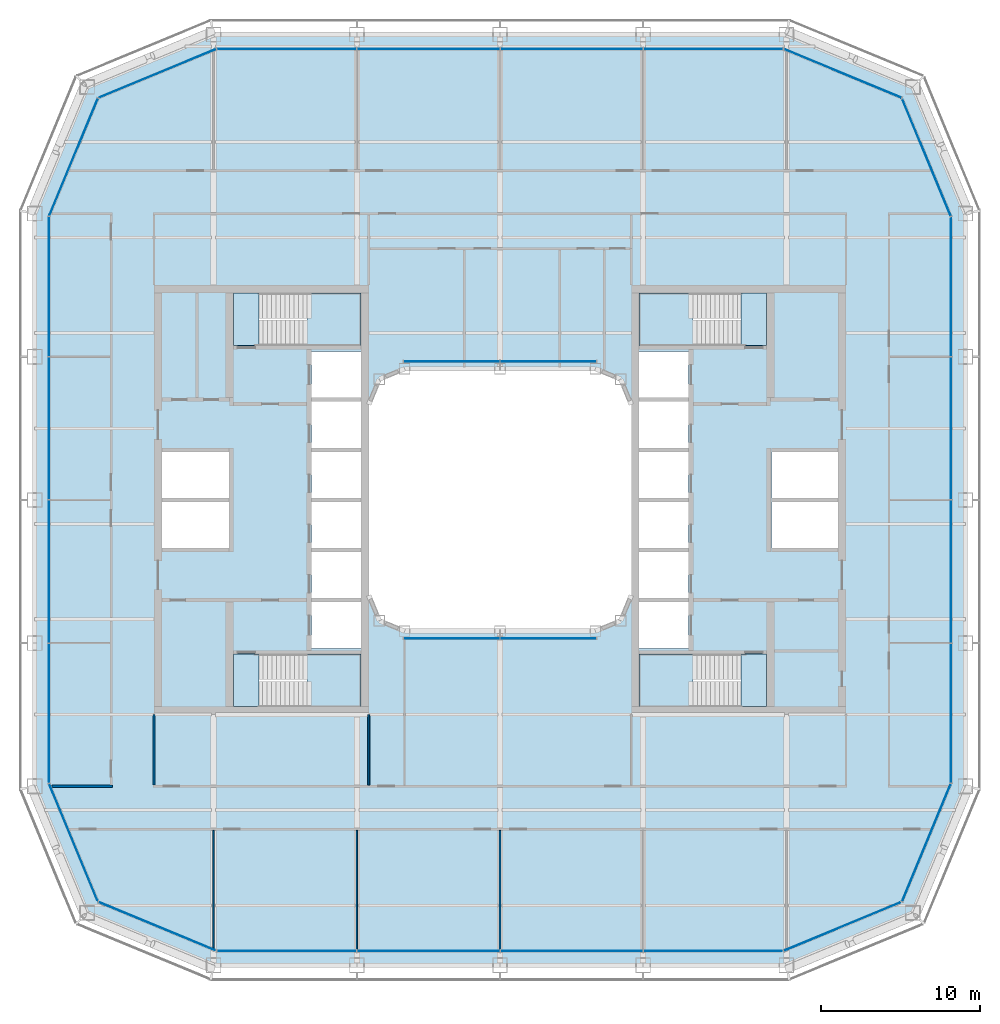
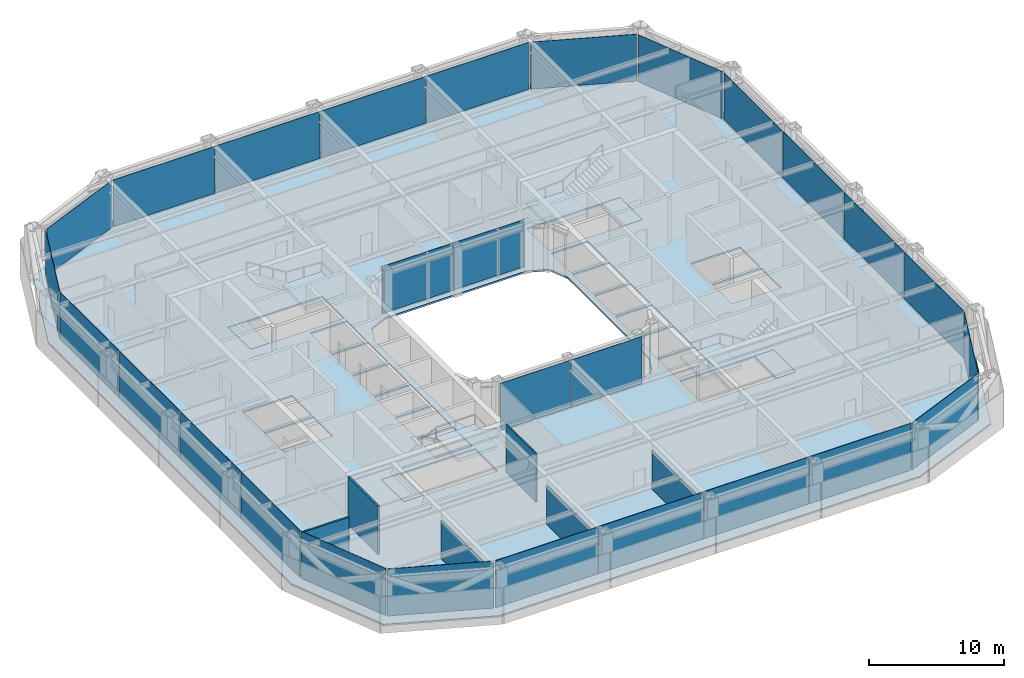
# One storey, part 10 of 21: 28 plates, 9 slabs, 6 walls, 18 elements without a shape of their own.
"""IFC4 building model written with IfcOpenShell, lengths in metres."""

from ifc_helpers import new_model, si_unit, direction, frame, frame_2d, origin, origin_2d, place, context, subcontext, project, spatial, polyline, rectangle, outline, extrude, material, layer, layer_set, type_object, element, aggregate, save


model = new_model("IFC4")

# Units and contexts
model_context = context("Model", 3, precision=1e-05, world=origin(), true_north=direction((0.0, 1.0)))
body_context = subcontext(model_context, "Body", "Model", "MODEL_VIEW")
ifc_project = project(units=[si_unit("LENGTHUNIT", "METRE"), si_unit("AREAUNIT", "SQUARE_METRE"), si_unit("VOLUMEUNIT", "CUBIC_METRE"), si_unit("PLANEANGLEUNIT", "RADIAN"), si_unit("MASSUNIT", "GRAM", prefix="KILO")], contexts=[model_context])

# Site, building, storey
site_placement = place(None, origin())
site = spatial("IfcSite", under=ifc_project, at=site_placement, CompositionType="ELEMENT")
building_placement = place(site_placement, origin())
building = spatial("IfcBuilding", under=site, at=building_placement, Name="Siwar Civic Tower", CompositionType="ELEMENT")
storey_placement = place(building_placement, frame((0.0, 0.0, 122.699951171875)))
storey = spatial("IfcBuildingStorey", under=building, at=storey_placement, Name="L26", CompositionType="ELEMENT", Elevation=122.699951171875)

# Stair, slabs
ifc_material_1 = material(Name="Concrete C40/50", Category="concrete")
stair_type = type_object("IfcStairType", Name="CORE-STAIR", PredefinedType="TWO_STRAIGHT_RUN_STAIR", material=ifc_material_1)
stair_1_placement = place(storey_placement, origin())
stair_1 = element("IfcStair", 1, at=stair_1_placement, inside=storey, type_object=stair_type, Name="Exit stair ST1", PredefinedType="TWO_STRAIGHT_RUN_STAIR")
ifc_material_2 = material(Name="Concrete C40/50", Category="concrete")
ifc_layer_1 = layer(ifc_material_2, 0.300048828125)
ifc_layer_set_1 = layer_set([ifc_layer_1], Name="Concrete C40/50")
slab_type_1 = type_object("IfcSlabType", Name="CORE-STAIR-LANDING", PredefinedType="LANDING", material=ifc_layer_set_1)
slab_1_placement = place(storey_placement, frame((0.0, 0.0, -0.300048828125)))
slab_1 = element("IfcSlab", 2, at=slab_1_placement, type_object=slab_type_1, Name="ST1 landing 1", PredefinedType="LANDING", context=body_context, shape_type="SweptSolid", body=[
    extrude(outline(polyline([(-15.14990234375, 13.0), (-16.75, 13.0), (-16.75, 9.699951171875), (-15.14990234375, 9.699951171875), (-15.14990234375, 13.0)])), origin(), (0.0, 0.0, 1.0), 0.300048828125),
])
slab_2_placement = place(storey_placement, frame((0.0, 0.0, 1.949951171875)))
slab_2 = element("IfcSlab", 3, at=slab_2_placement, type_object=slab_type_1, Name="ST1 landing 2", PredefinedType="LANDING", context=body_context, shape_type="SweptSolid", body=[
    extrude(outline(polyline([(-8.75, 13.0), (-12.139892578125, 13.0), (-12.139892578125, 9.699951171875), (-8.75, 9.699951171875), (-8.75, 13.0)])), origin(), (0.0, 0.0, 1.0), 0.300048828125),
])
aggregate(stair_1, [slab_1, slab_2])

stair_2_placement = place(storey_placement, origin())
stair_2 = element("IfcStair", 4, at=stair_2_placement, inside=storey, type_object=stair_type, Name="Exit stair ST2", PredefinedType="TWO_STRAIGHT_RUN_STAIR")
slab_3_placement = place(storey_placement, frame((0.0, 0.0, -0.300048828125)))
slab_3 = element("IfcSlab", 5, at=slab_3_placement, type_object=slab_type_1, Name="ST2 landing 1", PredefinedType="LANDING", context=body_context, shape_type="SweptSolid", body=[
    extrude(outline(polyline([(-15.14990234375, -9.699951171875), (-16.75, -9.699951171875), (-16.75, -13.0), (-15.14990234375, -13.0), (-15.14990234375, -9.699951171875)])), origin(), (0.0, 0.0, 1.0), 0.300048828125),
])
slab_4_placement = place(storey_placement, frame((0.0, 0.0, 1.949951171875)))
slab_4 = element("IfcSlab", 6, at=slab_4_placement, type_object=slab_type_1, Name="ST2 landing 2", PredefinedType="LANDING", context=body_context, shape_type="SweptSolid", body=[
    extrude(outline(polyline([(-8.75, -9.699951171875), (-12.139892578125, -9.699951171875), (-12.139892578125, -13.0), (-8.75, -13.0), (-8.75, -9.699951171875)])), origin(), (0.0, 0.0, 1.0), 0.300048828125),
])
aggregate(stair_2, [slab_3, slab_4])

stair_3_placement = place(storey_placement, origin())
stair_3 = element("IfcStair", 7, at=stair_3_placement, inside=storey, type_object=stair_type, Name="Exit stair ST3", PredefinedType="TWO_STRAIGHT_RUN_STAIR")
slab_5_placement = place(storey_placement, frame((0.0, 0.0, -0.300048828125)))
slab_5 = element("IfcSlab", 8, at=slab_5_placement, type_object=slab_type_1, Name="ST3 landing 1", PredefinedType="LANDING", context=body_context, shape_type="SweptSolid", body=[
    extrude(outline(polyline([(15.14990234375, 9.699951171875), (16.75, 9.699951171875), (16.75, 13.0), (15.14990234375, 13.0), (15.14990234375, 9.699951171875)])), origin(), (0.0, 0.0, 1.0), 0.300048828125),
])
slab_6_placement = place(storey_placement, frame((0.0, 0.0, 1.949951171875)))
slab_6 = element("IfcSlab", 9, at=slab_6_placement, type_object=slab_type_1, Name="ST3 landing 2", PredefinedType="LANDING", context=body_context, shape_type="SweptSolid", body=[
    extrude(outline(polyline([(8.75, 9.699951171875), (12.139892578125, 9.699951171875), (12.139892578125, 13.0), (8.75, 13.0), (8.75, 9.699951171875)])), origin(), (0.0, 0.0, 1.0), 0.300048828125),
])
aggregate(stair_3, [slab_5, slab_6])

stair_4_placement = place(storey_placement, origin())
stair_4 = element("IfcStair", 10, at=stair_4_placement, inside=storey, type_object=stair_type, Name="Exit stair ST4", PredefinedType="TWO_STRAIGHT_RUN_STAIR")
slab_7_placement = place(storey_placement, frame((0.0, 0.0, -0.300048828125)))
slab_7 = element("IfcSlab", 11, at=slab_7_placement, type_object=slab_type_1, Name="ST4 landing 1", PredefinedType="LANDING", context=body_context, shape_type="SweptSolid", body=[
    extrude(outline(polyline([(15.14990234375, -13.0), (16.75, -13.0), (16.75, -9.699951171875), (15.14990234375, -9.699951171875), (15.14990234375, -13.0)])), origin(), (0.0, 0.0, 1.0), 0.300048828125),
])
slab_8_placement = place(storey_placement, frame((0.0, 0.0, 1.949951171875)))
slab_8 = element("IfcSlab", 12, at=slab_8_placement, type_object=slab_type_1, Name="ST4 landing 2", PredefinedType="LANDING", context=body_context, shape_type="SweptSolid", body=[
    extrude(outline(polyline([(8.75, -13.0), (12.139892578125, -13.0), (12.139892578125, -9.699951171875), (8.75, -9.699951171875), (8.75, -13.0)])), origin(), (0.0, 0.0, 1.0), 0.300048828125),
])
aggregate(stair_4, [slab_7, slab_8])

# Curtain wall, plates
ifc_material_3 = material(Name="Aluminium and glass", Category="aluminium")
ifc_layer_2 = layer(ifc_material_3, 0.199951171875)
ifc_layer_set_2 = layer_set([ifc_layer_2], Name="Aluminium and glass")
curtain_wall_type_1 = type_object("IfcCurtainWallType", Name="ENV-CW-B", PredefinedType="NOTDEFINED", material=ifc_layer_set_2)
curtain_wall_1_placement = place(storey_placement, origin())
curtain_wall_1 = element("IfcCurtainWall", 13, at=curtain_wall_1_placement, inside=storey, type_object=curtain_wall_type_1, Name="Curtain wall B S", PredefinedType="NOTDEFINED")
ifc_material_4 = material(Name="Glass clear laminated", Category="glass")
ifc_layer_3 = layer(ifc_material_4, 0.033935546875)
ifc_layer_set_3 = layer_set([ifc_layer_3], Name="Glass clear laminated")
plate_type_1 = type_object("IfcPlateType", Name="ENV-PANEL-B", PredefinedType="CURTAIN_PANEL", material=ifc_layer_set_3)
plate_1_placement = place(storey_placement, frame((-13.410400390625, -28.35009765625, 0.10986328125), z_axis=(0.0, 0.0, 1.0), x_axis=(1.0, 0.0, 0.0)))
plate_1 = element("IfcPlate", 14, at=plate_1_placement, type_object=plate_type_1, Name="Curtain panel B S 1", PredefinedType="CURTAIN_PANEL", context=body_context, shape_type="SweptSolid", body=[
    extrude(rectangle(XDim=8.755859375, YDim=0.033935546875, at=origin_2d()), origin(), (0.0, 0.0, 1.0), 4.239990234375),
])
plate_2_placement = place(storey_placement, frame((-4.5, -28.35009765625, 0.10986328125), z_axis=(0.0, 0.0, 1.0), x_axis=(1.0, 0.0, 0.0)))
plate_2 = element("IfcPlate", 15, at=plate_2_placement, type_object=plate_type_1, Name="Curtain panel B S 2", PredefinedType="CURTAIN_PANEL", context=body_context, shape_type="SweptSolid", body=[
    extrude(rectangle(XDim=8.93505859375, YDim=0.033935546875, at=origin_2d()), origin(), (0.0, 0.0, 1.0), 4.239990234375),
])
plate_3_placement = place(storey_placement, frame((4.5, -28.35009765625, 0.10986328125), z_axis=(0.0, 0.0, 1.0), x_axis=(1.0, 0.0, 0.0)))
plate_3 = element("IfcPlate", 16, at=plate_3_placement, type_object=plate_type_1, Name="Curtain panel B S 3", PredefinedType="CURTAIN_PANEL", context=body_context, shape_type="SweptSolid", body=[
    extrude(rectangle(XDim=8.93505859375, YDim=0.033935546875, at=origin_2d()), origin(), (0.0, 0.0, 1.0), 4.239990234375),
])
plate_4_placement = place(storey_placement, frame((13.369873046875, -28.35009765625, 0.10986328125), z_axis=(0.0, 0.0, 1.0), x_axis=(1.0, 0.0, 0.0)))
plate_4 = element("IfcPlate", 17, at=plate_4_placement, type_object=plate_type_1, Name="Curtain panel B S 4", PredefinedType="CURTAIN_PANEL", context=body_context, shape_type="SweptSolid", body=[
    extrude(rectangle(XDim=8.6748046875, YDim=0.033935546875, at=origin_2d()), origin(), (0.0, 0.0, 1.0), 4.239990234375),
])
aggregate(curtain_wall_1, [plate_1, plate_2, plate_3, plate_4])

curtain_wall_2_placement = place(storey_placement, origin())
curtain_wall_2 = element("IfcCurtainWall", 18, at=curtain_wall_2_placement, inside=storey, type_object=curtain_wall_type_1, Name="Curtain wall B E", PredefinedType="NOTDEFINED")
plate_5_placement = place(storey_placement, frame((28.35009765625, -13.410400390625, 0.10986328125), z_axis=(0.0, 0.0, 1.0), x_axis=(0.0, 1.0, 0.0)))
plate_5 = element("IfcPlate", 19, at=plate_5_placement, type_object=plate_type_1, Name="Curtain panel B E 1", PredefinedType="CURTAIN_PANEL", context=body_context, shape_type="SweptSolid", body=[
    extrude(rectangle(XDim=8.755859375, YDim=0.033935546875, at=origin_2d()), origin(), (0.0, 0.0, 1.0), 4.239990234375),
])
plate_6_placement = place(storey_placement, frame((28.35009765625, -4.5, 0.10986328125), z_axis=(0.0, 0.0, 1.0), x_axis=(0.0, 1.0, 0.0)))
plate_6 = element("IfcPlate", 20, at=plate_6_placement, type_object=plate_type_1, Name="Curtain panel B E 2", PredefinedType="CURTAIN_PANEL", context=body_context, shape_type="SweptSolid", body=[
    extrude(rectangle(XDim=8.93505859375, YDim=0.033935546875, at=origin_2d()), origin(), (0.0, 0.0, 1.0), 4.239990234375),
])
plate_7_placement = place(storey_placement, frame((28.35009765625, 4.5, 0.10986328125), z_axis=(0.0, 0.0, 1.0), x_axis=(0.0, 1.0, 0.0)))
plate_7 = element("IfcPlate", 21, at=plate_7_placement, type_object=plate_type_1, Name="Curtain panel B E 3", PredefinedType="CURTAIN_PANEL", context=body_context, shape_type="SweptSolid", body=[
    extrude(rectangle(XDim=8.93505859375, YDim=0.033935546875, at=origin_2d()), origin(), (0.0, 0.0, 1.0), 4.239990234375),
])
plate_8_placement = place(storey_placement, frame((28.35009765625, 13.369873046875, 0.10986328125), z_axis=(0.0, 0.0, 1.0), x_axis=(0.0, 1.0, 0.0)))
plate_8 = element("IfcPlate", 22, at=plate_8_placement, type_object=plate_type_1, Name="Curtain panel B E 4", PredefinedType="CURTAIN_PANEL", context=body_context, shape_type="SweptSolid", body=[
    extrude(rectangle(XDim=8.6748046875, YDim=0.033935546875, at=origin_2d()), origin(), (0.0, 0.0, 1.0), 4.239990234375),
])
aggregate(curtain_wall_2, [plate_5, plate_6, plate_7, plate_8])

curtain_wall_3_placement = place(storey_placement, origin())
curtain_wall_3 = element("IfcCurtainWall", 23, at=curtain_wall_3_placement, inside=storey, type_object=curtain_wall_type_1, Name="Curtain wall B N", PredefinedType="NOTDEFINED")
plate_9_placement = place(storey_placement, frame((13.410400390625, 28.35009765625, 0.10986328125), z_axis=(0.0, 0.0, 1.0), x_axis=(-1.0, 0.0, 0.0)))
plate_9 = element("IfcPlate", 24, at=plate_9_placement, type_object=plate_type_1, Name="Curtain panel B N 1", PredefinedType="CURTAIN_PANEL", context=body_context, shape_type="SweptSolid", body=[
    extrude(rectangle(XDim=8.755859375, YDim=0.033935546875, at=origin_2d()), origin(), (0.0, 0.0, 1.0), 4.239990234375),
])
plate_10_placement = place(storey_placement, frame((4.5, 28.35009765625, 0.10986328125), z_axis=(0.0, 0.0, 1.0), x_axis=(-1.0, 0.0, 0.0)))
plate_10 = element("IfcPlate", 25, at=plate_10_placement, type_object=plate_type_1, Name="Curtain panel B N 2", PredefinedType="CURTAIN_PANEL", context=body_context, shape_type="SweptSolid", body=[
    extrude(rectangle(XDim=8.93505859375, YDim=0.033935546875, at=origin_2d()), origin(), (0.0, 0.0, 1.0), 4.239990234375),
])
plate_11_placement = place(storey_placement, frame((-4.5, 28.35009765625, 0.10986328125), z_axis=(0.0, 0.0, 1.0), x_axis=(-1.0, 0.0, 0.0)))
plate_11 = element("IfcPlate", 26, at=plate_11_placement, type_object=plate_type_1, Name="Curtain panel B N 3", PredefinedType="CURTAIN_PANEL", context=body_context, shape_type="SweptSolid", body=[
    extrude(rectangle(XDim=8.93505859375, YDim=0.033935546875, at=origin_2d()), origin(), (0.0, 0.0, 1.0), 4.239990234375),
])
plate_12_placement = place(storey_placement, frame((-13.369873046875, 28.35009765625, 0.10986328125), z_axis=(0.0, 0.0, 1.0), x_axis=(-1.0, 0.0, 0.0)))
plate_12 = element("IfcPlate", 27, at=plate_12_placement, type_object=plate_type_1, Name="Curtain panel B N 4", PredefinedType="CURTAIN_PANEL", context=body_context, shape_type="SweptSolid", body=[
    extrude(rectangle(XDim=8.6748046875, YDim=0.033935546875, at=origin_2d()), origin(), (0.0, 0.0, 1.0), 4.239990234375),
])
aggregate(curtain_wall_3, [plate_9, plate_10, plate_11, plate_12])

curtain_wall_4_placement = place(storey_placement, origin())
curtain_wall_4 = element("IfcCurtainWall", 28, at=curtain_wall_4_placement, inside=storey, type_object=curtain_wall_type_1, Name="Curtain wall B W", PredefinedType="NOTDEFINED")
plate_13_placement = place(storey_placement, frame((-28.35009765625, 13.410400390625, 0.10986328125), z_axis=(0.0, 0.0, 1.0), x_axis=(0.0, -1.0, 0.0)))
plate_13 = element("IfcPlate", 29, at=plate_13_placement, type_object=plate_type_1, Name="Curtain panel B W 1", PredefinedType="CURTAIN_PANEL", context=body_context, shape_type="SweptSolid", body=[
    extrude(rectangle(XDim=8.755859375, YDim=0.033935546875, at=origin_2d()), origin(), (0.0, 0.0, 1.0), 4.239990234375),
])
plate_14_placement = place(storey_placement, frame((-28.35009765625, 4.5, 0.10986328125), z_axis=(0.0, 0.0, 1.0), x_axis=(0.0, -1.0, 0.0)))
plate_14 = element("IfcPlate", 30, at=plate_14_placement, type_object=plate_type_1, Name="Curtain panel B W 2", PredefinedType="CURTAIN_PANEL", context=body_context, shape_type="SweptSolid", body=[
    extrude(rectangle(XDim=8.93505859375, YDim=0.033935546875, at=origin_2d()), origin(), (0.0, 0.0, 1.0), 4.239990234375),
])
plate_15_placement = place(storey_placement, frame((-28.35009765625, -4.5, 0.10986328125), z_axis=(0.0, 0.0, 1.0), x_axis=(0.0, -1.0, 0.0)))
plate_15 = element("IfcPlate", 31, at=plate_15_placement, type_object=plate_type_1, Name="Curtain panel B W 3", PredefinedType="CURTAIN_PANEL", context=body_context, shape_type="SweptSolid", body=[
    extrude(rectangle(XDim=8.93505859375, YDim=0.033935546875, at=origin_2d()), origin(), (0.0, 0.0, 1.0), 4.239990234375),
])
plate_16_placement = place(storey_placement, frame((-28.35009765625, -13.369873046875, 0.10986328125), z_axis=(0.0, 0.0, 1.0), x_axis=(0.0, -1.0, 0.0)))
plate_16 = element("IfcPlate", 32, at=plate_16_placement, type_object=plate_type_1, Name="Curtain panel B W 4", PredefinedType="CURTAIN_PANEL", context=body_context, shape_type="SweptSolid", body=[
    extrude(rectangle(XDim=8.6748046875, YDim=0.033935546875, at=origin_2d()), origin(), (0.0, 0.0, 1.0), 4.239990234375),
])
aggregate(curtain_wall_4, [plate_13, plate_14, plate_15, plate_16])

# Curtain wall, plate
ifc_material_5 = material(Name="Aluminium clad insulated panel", Category="aluminium")
ifc_layer_4 = layer(ifc_material_5, 0.199951171875)
ifc_layer_set_4 = layer_set([ifc_layer_4], Name="Aluminium clad insulated panel")
curtain_wall_type_2 = type_object("IfcCurtainWallType", Name="ENV-CW-BX", PredefinedType="NOTDEFINED", material=ifc_layer_set_4)
curtain_wall_5_placement = place(storey_placement, origin())
curtain_wall_5 = element("IfcCurtainWall", 33, at=curtain_wall_5_placement, inside=storey, type_object=curtain_wall_type_2, Name="Curtain wall B SE1", PredefinedType="NOTDEFINED")
ifc_material_6 = material(Name="Aluminium clad insulated panel", Category="aluminium")
ifc_layer_5 = layer(ifc_material_6, 0.033935546875)
ifc_layer_set_5 = layer_set([ifc_layer_5], Name="Aluminium clad insulated panel")
plate_type_2 = type_object("IfcPlateType", Name="ENV-PANEL-BX", PredefinedType="CURTAIN_PANEL", material=ifc_layer_set_5)
plate_17_placement = place(storey_placement, frame((21.506103515625, -26.823486328125, 0.10986328125), z_axis=(0.0, 0.0, 1.0), x_axis=(0.923879532511, 0.382683432365, 0.0)))
plate_17 = element("IfcPlate", 34, at=plate_17_placement, type_object=plate_type_2, Name="Curtain panel B SE1 1", PredefinedType="CURTAIN_PANEL", context=body_context, shape_type="SweptSolid", body=[
    extrude(rectangle(XDim=7.912353515625, YDim=0.033935546875, at=origin_2d()), origin(), (0.0, 0.0, 1.0), 4.239990234375),
])
aggregate(curtain_wall_5, [plate_17])

curtain_wall_6_placement = place(storey_placement, origin())
curtain_wall_6 = element("IfcCurtainWall", 35, at=curtain_wall_6_placement, inside=storey, type_object=curtain_wall_type_2, Name="Curtain wall B SE2", PredefinedType="NOTDEFINED")
plate_18_placement = place(storey_placement, frame((26.79248046875, -21.5810546875, 0.10986328125), z_axis=(0.0, 0.0, 1.0), x_axis=(0.382683432365, 0.923879532511, 0.0)))
plate_18 = element("IfcPlate", 36, at=plate_18_placement, type_object=plate_type_2, Name="Curtain panel B SE2 1", PredefinedType="CURTAIN_PANEL", context=body_context, shape_type="SweptSolid", body=[
    extrude(rectangle(XDim=7.912353515625, YDim=0.033935546875, at=origin_2d()), origin(), (0.0, 0.0, 1.0), 4.239990234375),
])
aggregate(curtain_wall_6, [plate_18])

curtain_wall_7_placement = place(storey_placement, origin())
curtain_wall_7 = element("IfcCurtainWall", 37, at=curtain_wall_7_placement, inside=storey, type_object=curtain_wall_type_2, Name="Curtain wall B NE1", PredefinedType="NOTDEFINED")
plate_19_placement = place(storey_placement, frame((26.823486328125, 21.506103515625, 0.10986328125), z_axis=(0.0, 0.0, 1.0), x_axis=(-0.382683432365, 0.923879532511, 0.0)))
plate_19 = element("IfcPlate", 38, at=plate_19_placement, type_object=plate_type_2, Name="Curtain panel B NE1 1", PredefinedType="CURTAIN_PANEL", context=body_context, shape_type="SweptSolid", body=[
    extrude(rectangle(XDim=7.912353515625, YDim=0.033935546875, at=origin_2d()), origin(), (0.0, 0.0, 1.0), 4.239990234375),
])
aggregate(curtain_wall_7, [plate_19])

curtain_wall_8_placement = place(storey_placement, origin())
curtain_wall_8 = element("IfcCurtainWall", 39, at=curtain_wall_8_placement, inside=storey, type_object=curtain_wall_type_2, Name="Curtain wall B NE2", PredefinedType="NOTDEFINED")
plate_20_placement = place(storey_placement, frame((21.5810546875, 26.79248046875, 0.10986328125), z_axis=(0.0, 0.0, 1.0), x_axis=(-0.923879532511, 0.382683432365, 0.0)))
plate_20 = element("IfcPlate", 40, at=plate_20_placement, type_object=plate_type_2, Name="Curtain panel B NE2 1", PredefinedType="CURTAIN_PANEL", context=body_context, shape_type="SweptSolid", body=[
    extrude(rectangle(XDim=7.912353515625, YDim=0.033935546875, at=origin_2d()), origin(), (0.0, 0.0, 1.0), 4.239990234375),
])
aggregate(curtain_wall_8, [plate_20])

curtain_wall_9_placement = place(storey_placement, origin())
curtain_wall_9 = element("IfcCurtainWall", 41, at=curtain_wall_9_placement, inside=storey, type_object=curtain_wall_type_2, Name="Curtain wall B NW1", PredefinedType="NOTDEFINED")
plate_21_placement = place(storey_placement, frame((-21.506103515625, 26.823486328125, 0.10986328125), z_axis=(0.0, 0.0, 1.0), x_axis=(-0.923879532511, -0.382683432365, 0.0)))
plate_21 = element("IfcPlate", 42, at=plate_21_placement, type_object=plate_type_2, Name="Curtain panel B NW1 1", PredefinedType="CURTAIN_PANEL", context=body_context, shape_type="SweptSolid", body=[
    extrude(rectangle(XDim=7.912353515625, YDim=0.033935546875, at=origin_2d()), origin(), (0.0, 0.0, 1.0), 4.239990234375),
])
aggregate(curtain_wall_9, [plate_21])

curtain_wall_10_placement = place(storey_placement, origin())
curtain_wall_10 = element("IfcCurtainWall", 43, at=curtain_wall_10_placement, inside=storey, type_object=curtain_wall_type_2, Name="Curtain wall B NW2", PredefinedType="NOTDEFINED")
plate_22_placement = place(storey_placement, frame((-26.79248046875, 21.5810546875, 0.10986328125), z_axis=(0.0, 0.0, 1.0), x_axis=(-0.382683432365, -0.923879532511, 0.0)))
plate_22 = element("IfcPlate", 44, at=plate_22_placement, type_object=plate_type_2, Name="Curtain panel B NW2 1", PredefinedType="CURTAIN_PANEL", context=body_context, shape_type="SweptSolid", body=[
    extrude(rectangle(XDim=7.912353515625, YDim=0.033935546875, at=origin_2d()), origin(), (0.0, 0.0, 1.0), 4.239990234375),
])
aggregate(curtain_wall_10, [plate_22])

curtain_wall_11_placement = place(storey_placement, origin())
curtain_wall_11 = element("IfcCurtainWall", 45, at=curtain_wall_11_placement, inside=storey, type_object=curtain_wall_type_2, Name="Curtain wall B SW1", PredefinedType="NOTDEFINED")
plate_23_placement = place(storey_placement, frame((-26.823486328125, -21.506103515625, 0.10986328125), z_axis=(0.0, 0.0, 1.0), x_axis=(0.382683432365, -0.923879532511, 0.0)))
plate_23 = element("IfcPlate", 46, at=plate_23_placement, type_object=plate_type_2, Name="Curtain panel B SW1 1", PredefinedType="CURTAIN_PANEL", context=body_context, shape_type="SweptSolid", body=[
    extrude(rectangle(XDim=7.912353515625, YDim=0.033935546875, at=origin_2d()), origin(), (0.0, 0.0, 1.0), 4.239990234375),
])
aggregate(curtain_wall_11, [plate_23])

curtain_wall_12_placement = place(storey_placement, origin())
curtain_wall_12 = element("IfcCurtainWall", 47, at=curtain_wall_12_placement, inside=storey, type_object=curtain_wall_type_2, Name="Curtain wall B SW2", PredefinedType="NOTDEFINED")
plate_24_placement = place(storey_placement, frame((-21.5810546875, -26.79248046875, 0.10986328125), z_axis=(0.0, 0.0, 1.0), x_axis=(0.923879532511, -0.382683432365, 0.0)))
plate_24 = element("IfcPlate", 48, at=plate_24_placement, type_object=plate_type_2, Name="Curtain panel B SW2 1", PredefinedType="CURTAIN_PANEL", context=body_context, shape_type="SweptSolid", body=[
    extrude(rectangle(XDim=7.912353515625, YDim=0.033935546875, at=origin_2d()), origin(), (0.0, 0.0, 1.0), 4.239990234375),
])
aggregate(curtain_wall_12, [plate_24])

# Curtain wall, plates
ifc_material_7 = material(Name="Aluminium and glass", Category="aluminium")
ifc_layer_6 = layer(ifc_material_7, 0.179931640625)
ifc_layer_set_6 = layer_set([ifc_layer_6], Name="Aluminium and glass")
curtain_wall_type_3 = type_object("IfcCurtainWallType", Name="ENV-CW-W", PredefinedType="NOTDEFINED", material=ifc_layer_set_6)
curtain_wall_13_placement = place(storey_placement, origin())
curtain_wall_13 = element("IfcCurtainWall", 49, at=curtain_wall_13_placement, inside=storey, type_object=curtain_wall_type_3, Name="Curtain wall W WS", PredefinedType="NOTDEFINED")
ifc_material_8 = material(Name="Glass clear laminated", Category="glass")
ifc_layer_7 = layer(ifc_material_8, 0.031982421875)
ifc_layer_set_7 = layer_set([ifc_layer_7], Name="Glass clear laminated")
plate_type_3 = type_object("IfcPlateType", Name="ENV-PANEL-W", PredefinedType="CURTAIN_PANEL", material=ifc_layer_set_7)
plate_25_placement = place(storey_placement, frame((-3.045654296875, -8.7099609375, 0.10009765625), z_axis=(0.0, 0.0, 1.0), x_axis=(1.0, 0.0, 0.0)))
plate_25 = element("IfcPlate", 50, at=plate_25_placement, type_object=plate_type_3, Name="Curtain panel W WS 1", PredefinedType="CURTAIN_PANEL", context=body_context, shape_type="SweptSolid", body=[
    extrude(rectangle(XDim=6.031494140625, YDim=0.031982421875, at=origin_2d()), origin(), (0.0, 0.0, 1.0), 4.25),
])
plate_26_placement = place(storey_placement, frame((3.045654296875, -8.7099609375, 0.10009765625), z_axis=(0.0, 0.0, 1.0), x_axis=(1.0, 0.0, 0.0)))
plate_26 = element("IfcPlate", 51, at=plate_26_placement, type_object=plate_type_3, Name="Curtain panel W WS 2", PredefinedType="CURTAIN_PANEL", context=body_context, shape_type="SweptSolid", body=[
    extrude(rectangle(XDim=6.031494140625, YDim=0.031982421875, at=origin_2d()), origin(), (0.0, 0.0, 1.0), 4.25),
])
aggregate(curtain_wall_13, [plate_25, plate_26])

curtain_wall_14_placement = place(storey_placement, origin())
curtain_wall_14 = element("IfcCurtainWall", 52, at=curtain_wall_14_placement, inside=storey, type_object=curtain_wall_type_3, Name="Curtain wall W WN", PredefinedType="NOTDEFINED")
plate_27_placement = place(storey_placement, frame((3.045654296875, 8.7099609375, 0.10009765625), z_axis=(0.0, 0.0, 1.0), x_axis=(-1.0, 0.0, 0.0)))
plate_27 = element("IfcPlate", 53, at=plate_27_placement, type_object=plate_type_3, Name="Curtain panel W WN 1", PredefinedType="CURTAIN_PANEL", context=body_context, shape_type="SweptSolid", body=[
    extrude(rectangle(XDim=6.031494140625, YDim=0.031982421875, at=origin_2d()), origin(), (0.0, 0.0, 1.0), 4.25),
])
plate_28_placement = place(storey_placement, frame((-3.045654296875, 8.7099609375, 0.10009765625), z_axis=(0.0, 0.0, 1.0), x_axis=(-1.0, 0.0, 0.0)))
plate_28 = element("IfcPlate", 54, at=plate_28_placement, type_object=plate_type_3, Name="Curtain panel W WN 2", PredefinedType="CURTAIN_PANEL", context=body_context, shape_type="SweptSolid", body=[
    extrude(rectangle(XDim=6.031494140625, YDim=0.031982421875, at=origin_2d()), origin(), (0.0, 0.0, 1.0), 4.25),
])
aggregate(curtain_wall_14, [plate_27, plate_28])

# Slab
ifc_material_9 = material(Name="Concrete C40/50", Category="concrete")
ifc_layer_8 = layer(ifc_material_9, 0.14990234375)
ifc_layer_set_8 = layer_set([ifc_layer_8], Name="Concrete C40/50")
slab_type_2 = type_object("IfcSlabType", Name="STR-FLOOR-DECK-150", PredefinedType="FLOOR", material=ifc_layer_set_8)
slab_9_placement = place(storey_placement, frame((0.0, 0.0, -0.14990234375)))
element("IfcSlab", 55, at=slab_9_placement, inside=storey, type_object=slab_type_2, Name="L26/slab/1", PredefinedType="FLOOR", context=body_context, shape_type="SweptSolid", body=[
    extrude(outline(polyline([(-18.0, -29.25), (18.0, -29.25), (25.954833984375, -25.954833984375), (29.25, -18.0), (29.25, 18.0), (25.954833984375, 25.954833984375), (18.0, 29.25), (-18.0, 29.25), (-25.954833984375, 25.954833984375), (-29.25, 18.0), (-29.25, -18.0), (-25.954833984375, -25.954833984375), (-18.0, -29.25)]), holes=[polyline([(21.25, 3.02490234375), (21.25, 0.125), (17.050048828125, 0.125), (17.050048828125, 3.02490234375), (21.25, 3.02490234375)]), polyline([(17.050048828125, -0.125), (21.25, -0.125), (21.25, -3.02490234375), (17.050048828125, -3.02490234375), (17.050048828125, -0.125)]), polyline([(16.75, 13.0), (16.75, 9.699951171875), (8.75, 9.699951171875), (8.75, 13.0), (16.75, 13.0)]), polyline([(8.75, -9.699951171875), (16.75, -9.699951171875), (16.75, -13.0), (8.75, -13.0), (8.75, -9.699951171875)]), polyline([(11.85009765625, 9.324951171875), (11.85009765625, 6.425048828125), (8.75, 6.425048828125), (8.75, 9.324951171875), (11.85009765625, 9.324951171875)]), polyline([(11.85009765625, 3.02490234375), (11.85009765625, 0.125), (8.75, 0.125), (8.75, 3.02490234375), (11.85009765625, 3.02490234375)]), polyline([(11.85009765625, -0.125), (11.85009765625, -3.02490234375), (8.75, -3.02490234375), (8.75, -0.125), (11.85009765625, -0.125)]), polyline([(11.85009765625, -3.27490234375), (11.85009765625, -6.175048828125), (8.75, -6.175048828125), (8.75, -3.27490234375), (11.85009765625, -3.27490234375)]), polyline([(8.75, 6.175048828125), (11.85009765625, 6.175048828125), (11.85009765625, 3.27490234375), (8.75, 3.27490234375), (8.75, 6.175048828125)]), polyline([(8.75, -6.425048828125), (11.85009765625, -6.425048828125), (11.85009765625, -9.324951171875), (8.75, -9.324951171875), (8.75, -6.425048828125)]), polyline([(-6.0, 8.25), (6.0, 8.25), (7.591064453125, 7.591064453125), (8.25, 6.0), (8.25, -6.0), (7.591064453125, -7.591064453125), (6.0, -8.25), (-6.0, -8.25), (-7.591064453125, -7.591064453125), (-8.25, -6.0), (-8.25, 6.0), (-7.591064453125, 7.591064453125), (-6.0, 8.25)]), polyline([(-8.75, 9.699951171875), (-16.75, 9.699951171875), (-16.75, 13.0), (-8.75, 13.0), (-8.75, 9.699951171875)]), polyline([(-8.75, 0.125), (-11.85009765625, 0.125), (-11.85009765625, 3.02490234375), (-8.75, 3.02490234375), (-8.75, 0.125)]), polyline([(-8.75, -6.175048828125), (-11.85009765625, -6.175048828125), (-11.85009765625, -3.27490234375), (-8.75, -3.27490234375), (-8.75, -6.175048828125)]), polyline([(-8.75, -9.324951171875), (-11.85009765625, -9.324951171875), (-11.85009765625, -6.425048828125), (-8.75, -6.425048828125), (-8.75, -9.324951171875)]), polyline([(-8.75, -13.0), (-16.75, -13.0), (-16.75, -9.699951171875), (-8.75, -9.699951171875), (-8.75, -13.0)]), polyline([(-11.85009765625, 6.425048828125), (-11.85009765625, 9.324951171875), (-8.75, 9.324951171875), (-8.75, 6.425048828125), (-11.85009765625, 6.425048828125)]), polyline([(-11.85009765625, 3.27490234375), (-11.85009765625, 6.175048828125), (-8.75, 6.175048828125), (-8.75, 3.27490234375), (-11.85009765625, 3.27490234375)]), polyline([(-11.85009765625, -3.02490234375), (-11.85009765625, -0.125), (-8.75, -0.125), (-8.75, -3.02490234375), (-11.85009765625, -3.02490234375)]), polyline([(-21.25, -3.02490234375), (-21.25, -0.125), (-17.050048828125, -0.125), (-17.050048828125, -3.02490234375), (-21.25, -3.02490234375)]), polyline([(-17.050048828125, 0.125), (-21.25, 0.125), (-21.25, 3.02490234375), (-17.050048828125, 3.02490234375), (-17.050048828125, 0.125)])]), origin(), (0.0, 0.0, 1.0), 0.14990234375),
])

# Walls
ifc_material_10 = material(Name="Gypsum board on steel studs", Category="steel")
ifc_layer_9 = layer(ifc_material_10, 0.14990234375)
ifc_layer_set_9 = layer_set([ifc_layer_9], Name="Gypsum board on steel studs")
wall_type_1 = type_object("IfcWallType", Name="CORRIDOR PARTITION 150 EI 30", PredefinedType="PARTITIONING", material=ifc_layer_set_9)
wall_1_placement = place(storey_placement, frame((-28.177978515625, -18.0, 0.0), z_axis=(0.0, 0.0, 1.0), x_axis=(1.0, 0.0, 0.0)))
element("IfcWall", 56, at=wall_1_placement, inside=storey, type_object=wall_type_1, Name="L26/wall/P02", PredefinedType="PARTITIONING", context=body_context, shape_type="SweptSolid", body=[
    extrude(rectangle(XDim=3.802978515625, YDim=0.14990234375, at=frame_2d((1.9013671875, 0.0))), origin(), (0.0, 0.0, 1.0), 4.35009765625),
])
wall_2_placement = place(storey_placement, frame((-21.75, -17.925048828125, 0.0), z_axis=(0.0, 0.0, 1.0), x_axis=(0.0, 1.0, 0.0)))
element("IfcWall", 57, at=wall_2_placement, inside=storey, type_object=wall_type_1, Name="L26/wall/P18", PredefinedType="PARTITIONING", context=body_context, shape_type="SweptSolid", body=[
    extrude(rectangle(XDim=4.425048828125, YDim=0.14990234375, at=frame_2d((2.21240234375, 0.0))), origin(), (0.0, 0.0, 1.0), 4.35009765625),
])
ifc_material_11 = material(Name="Gypsum board on steel studs", Category="steel")
ifc_layer_10 = layer(ifc_material_11, 0.10009765625)
ifc_layer_set_10 = layer_set([ifc_layer_10], Name="Gypsum board on steel studs")
wall_type_2 = type_object("IfcWallType", Name="PARTITION 100 GYPSUM", PredefinedType="PARTITIONING", material=ifc_layer_set_10)
wall_3_placement = place(storey_placement, frame((-18.0, -28.177978515625, 0.0), z_axis=(0.0, 0.0, 1.0), x_axis=(0.0, 1.0, 0.0)))
element("IfcWall", 58, at=wall_3_placement, inside=storey, type_object=wall_type_2, Name="L26/wall/P20", PredefinedType="PARTITIONING", context=body_context, shape_type="SweptSolid", body=[
    extrude(rectangle(XDim=7.403076171875, YDim=0.10009765625, at=frame_2d((3.70166015625, 0.0))), origin(), (0.0, 0.0, 1.0), 3.449951171875),
])
wall_4_placement = place(storey_placement, frame((-9.0, -28.260009765625, 0.0), z_axis=(0.0, 0.0, 1.0), x_axis=(0.0, 1.0, 0.0)))
element("IfcWall", 59, at=wall_4_placement, inside=storey, type_object=wall_type_2, Name="L26/wall/P22", PredefinedType="PARTITIONING", context=body_context, shape_type="SweptSolid", body=[
    extrude(rectangle(XDim=7.485107421875, YDim=0.10009765625, at=frame_2d((3.74267578125, 0.0))), origin(), (0.0, 0.0, 1.0), 3.449951171875),
])
wall_5_placement = place(storey_placement, frame((-8.25, -17.925048828125, 0.0), z_axis=(0.0, 0.0, 1.0), x_axis=(0.0, 1.0, 0.0)))
element("IfcWall", 60, at=wall_5_placement, inside=storey, type_object=wall_type_2, Name="L26/wall/P24", PredefinedType="PARTITIONING", context=body_context, shape_type="SweptSolid", body=[
    extrude(rectangle(XDim=4.425048828125, YDim=0.10009765625, at=frame_2d((2.21240234375, 0.0))), origin(), (0.0, 0.0, 1.0), 4.35009765625),
])
wall_6_placement = place(storey_placement, frame((0.0, -28.260009765625, 0.0), z_axis=(0.0, 0.0, 1.0), x_axis=(0.0, 1.0, 0.0)))
element("IfcWall", 61, at=wall_6_placement, inside=storey, type_object=wall_type_2, Name="L26/wall/P28", PredefinedType="PARTITIONING", context=body_context, shape_type="SweptSolid", body=[
    extrude(rectangle(XDim=7.485107421875, YDim=0.10009765625, at=frame_2d((3.74267578125, 0.0))), origin(), (0.0, 0.0, 1.0), 3.449951171875),
])

save(model, "model.ifc")
